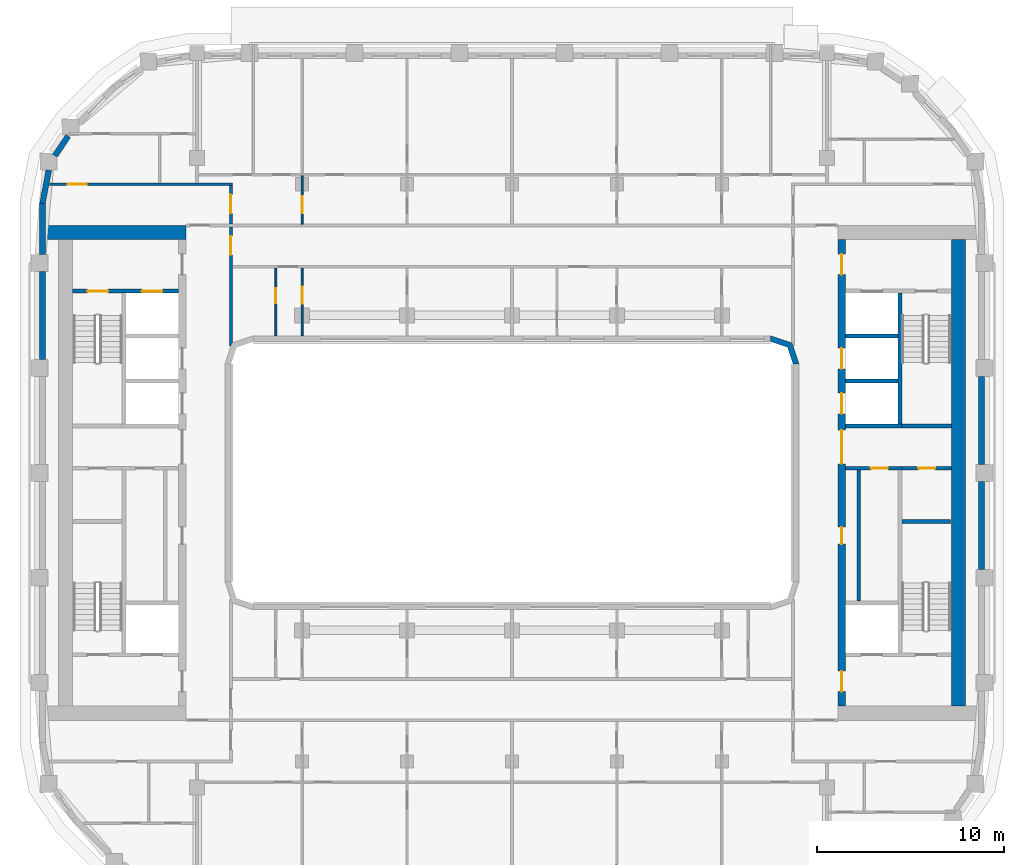
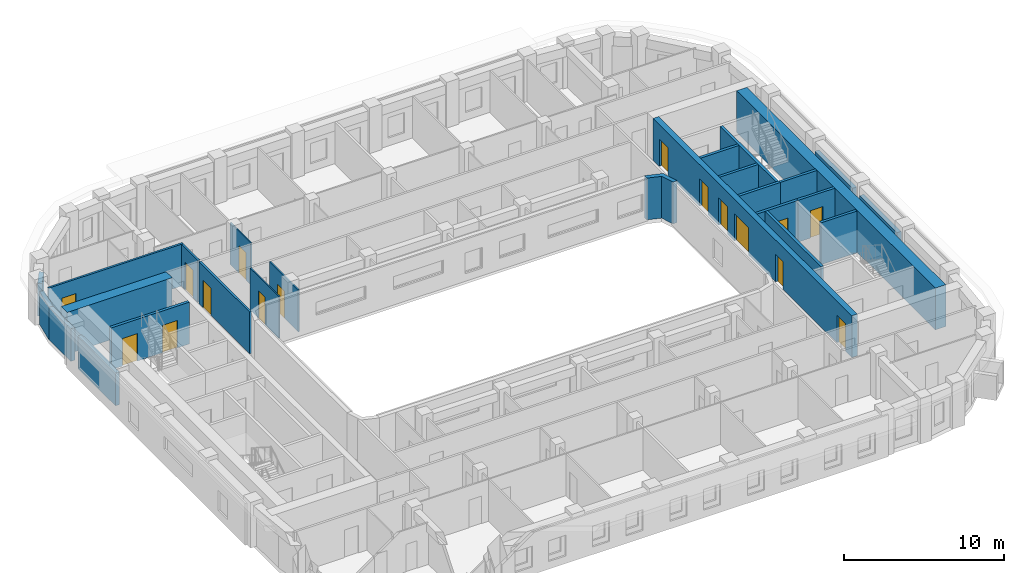
# One storey, part 6 of 21: 26 walls, 16 doors, 16 openings.
"""IFC4 building model written with IfcOpenShell, lengths in metres."""

from ifc_helpers import new_model, si_unit, direction, frame, frame_2d, origin, place, context, subcontext, project, spatial, polyline, rectangle, outline, extrude, material, layer, layer_set, type_object, element, fill, save


model = new_model("IFC4")

# Units and contexts
model_context = context("Model", 3, precision=1e-05, world=origin(), true_north=direction((0.0, 1.0)))
body_context = subcontext(model_context, "Body", "Model", "MODEL_VIEW")
ifc_project = project(units=[si_unit("LENGTHUNIT", "METRE"), si_unit("AREAUNIT", "SQUARE_METRE"), si_unit("VOLUMEUNIT", "CUBIC_METRE"), si_unit("PLANEANGLEUNIT", "RADIAN"), si_unit("MASSUNIT", "GRAM", prefix="KILO")], contexts=[model_context])

# Site, building, storey
site_placement = place(None, origin())
site = spatial("IfcSite", under=ifc_project, at=site_placement, CompositionType="ELEMENT")
building_placement = place(site_placement, origin())
building = spatial("IfcBuilding", under=site, at=building_placement, Name="Kiln Ring Residences", CompositionType="ELEMENT")
storey_placement = place(building_placement, frame((0.0, 0.0, 202.89990234375)))
storey = spatial("IfcBuildingStorey", under=building, at=storey_placement, Name="L52", CompositionType="ELEMENT", Elevation=202.89990234375)

# Wall, opening, door
ifc_material_1 = material(Name="Gypsum board on steel studs", Category="steel")
ifc_layer_1 = layer(ifc_material_1, 0.199951171875)
ifc_layer_set_1 = layer_set([ifc_layer_1], Name="CORE-PARTITION-200")
wall_type_1 = type_object("IfcWallType", Name="CORE-PARTITION-200", PredefinedType="PARTITIONING", material=ifc_layer_set_1)
wall_1_placement = place(storey_placement, frame((20.800048828125, 0.25, 0.0), z_axis=(0.0, 0.0, 1.0), x_axis=(1.0, 0.0, 0.0)))
wall_1 = element("IfcWall", 1, at=wall_1_placement, inside=storey, type_object=wall_type_1, Name="Core partition east L52 1", PredefinedType="PARTITIONING", context=body_context, shape_type="SweptSolid", body=[
    extrude(rectangle(XDim=2.64990234375, YDim=0.199951171875, at=frame_2d((1.324951171875, 0.0))), origin(), (0.0, 0.0, 1.0), 3.2001953125),
])
opening_1_placement = place(wall_1_placement, frame((0.875, 0.0, 0.0)))
opening_1 = element("IfcOpeningElement", 2, at=opening_1_placement, cuts=wall_1, Name="Opening L52-CE12", PredefinedType="OPENING", context=body_context, shape_type="SweptSolid", body=[
    extrude(rectangle(XDim=0.89990234375, YDim=2.10009765625, at=frame_2d((0.449951171875, 1.050048828125))), frame((0.0, 0.10986328125, 0.0), z_axis=(0.0, -1.0, 0.0), x_axis=(1.0, 0.0, 0.0)), (0.0, 0.0, 1.0), 0.219970703125),
])
ifc_material_2 = material(Name="Steel door leaf", Category="steel")
door_type_1 = type_object("IfcDoorType", Name="CORE-DOOR-ROOM", OperationType="SINGLE_SWING_LEFT", PredefinedType="DOOR", material=ifc_material_2)
door_1_placement = place(opening_1_placement, origin())
door_1 = element("IfcDoor", 3, at=door_1_placement, inside=storey, type_object=door_type_1, Name="Comms room L52-CE12", OperationType="SINGLE_SWING_LEFT", OverallHeight=2.10009765625, OverallWidth=0.89990234375, PredefinedType="DOOR", context=body_context, shape_type="SweptSolid", body=[
    extrude(rectangle(XDim=0.89990234375, YDim=2.10009765625, at=frame_2d((0.449951171875, 1.050048828125))), frame((0.0, 0.02490234375, 0.0), z_axis=(0.0, -1.0, 0.0), x_axis=(1.0, 0.0, 0.0)), (0.0, 0.0, 1.0), 0.050048828125),
])
fill(opening_1, door_1)

# Wall
wall_2_placement = place(storey_placement, frame((18.5, -6.85009765625, 0.0), z_axis=(0.0, 0.0, 1.0), x_axis=(0.0, 1.0, 0.0)))
element("IfcWall", 4, at=wall_2_placement, inside=storey, type_object=wall_type_1, Name="Core partition east L52 2", PredefinedType="PARTITIONING", context=body_context, shape_type="SweptSolid", body=[
    extrude(rectangle(XDim=7.0, YDim=0.199951171875, at=frame_2d((3.5, 0.0))), origin(), (0.0, 0.0, 1.0), 3.2001953125),
])

# Wall, opening, door
ifc_material_3 = material(Name="Gypsum shaft wall system")
ifc_layer_2 = layer(ifc_material_3, 0.199951171875)
ifc_layer_set_2 = layer_set([ifc_layer_2], Name="CORE-SHAFT-WALL-200")
wall_type_2 = type_object("IfcWallType", Name="CORE-SHAFT-WALL-200", PredefinedType="PARTITIONING", material=ifc_layer_set_2)
wall_3_placement = place(storey_placement, frame((17.800048828125, 0.25, 0.0), z_axis=(0.0, 0.0, 1.0), x_axis=(1.0, 0.0, 0.0)))
wall_3 = element("IfcWall", 5, at=wall_3_placement, inside=storey, type_object=wall_type_2, Name="Core partition east L52 4", PredefinedType="PARTITIONING", context=body_context, shape_type="SweptSolid", body=[
    extrude(rectangle(XDim=3.0, YDim=0.199951171875, at=frame_2d((1.5, 0.0))), origin(), (0.0, 0.0, 1.0), 3.2001953125),
])
opening_2_placement = place(wall_3_placement, frame((1.35009765625, 0.0, 0.0)))
opening_2 = element("IfcOpeningElement", 6, at=opening_2_placement, cuts=wall_3, Name="Opening L52-CE03", PredefinedType="OPENING", context=body_context, shape_type="SweptSolid", body=[
    extrude(rectangle(XDim=0.89990234375, YDim=2.10009765625, at=frame_2d((0.449951171875, 1.050048828125))), frame((0.0, 0.10986328125, 0.0), z_axis=(0.0, -1.0, 0.0), x_axis=(1.0, 0.0, 0.0)), (0.0, 0.0, 1.0), 0.219970703125),
])
door_2_placement = place(opening_2_placement, origin())
door_2 = element("IfcDoor", 7, at=door_2_placement, inside=storey, type_object=door_type_1, Name="Service store L52-CE03", OperationType="SINGLE_SWING_RIGHT", OverallHeight=2.10009765625, OverallWidth=0.89990234375, PredefinedType="DOOR", context=body_context, shape_type="SweptSolid", body=[
    extrude(rectangle(XDim=0.89990234375, YDim=2.10009765625, at=frame_2d((0.449951171875, 1.050048828125))), frame((0.0, 0.02490234375, 0.0), z_axis=(0.0, -1.0, 0.0), x_axis=(1.0, 0.0, 0.0)), (0.0, 0.0, 1.0), 0.050048828125),
])
fill(opening_2, door_2)

# Walls
wall_4_placement = place(storey_placement, frame((17.800048828125, 2.5, 0.0), z_axis=(0.0, 0.0, 1.0), x_axis=(1.0, 0.0, 0.0)))
element("IfcWall", 8, at=wall_4_placement, inside=storey, type_object=wall_type_2, Name="Core partition east L52 5", PredefinedType="PARTITIONING", context=body_context, shape_type="SweptSolid", body=[
    extrude(rectangle(XDim=3.0, YDim=0.199951171875, at=frame_2d((1.5, 0.0))), origin(), (0.0, 0.0, 1.0), 3.2001953125),
])
for number, where, z_axis, x_axis, name in (
    (9, (17.800048828125, 4.89990234375, 0.0), (0.0, 0.0, 1.0), (1.0, 0.0, 0.0), "Core partition east L52 6"),
    (10, (17.800048828125, 7.300048828125, 0.0), (0.0, 0.0, 1.0), (1.0, 0.0, 0.0), "Core partition east L52 7"),
):
    element("IfcWall", number, at=place(storey_placement, frame(where, z_axis=z_axis, x_axis=x_axis)), inside=storey, type_object=wall_type_2, Name=name, PredefinedType="PARTITIONING", context=body_context, shape_type="SweptSolid", body=[
        extrude(rectangle(XDim=2.800048828125, YDim=0.199951171875, at=frame_2d((1.39990234375, 0.0))), origin(), (0.0, 0.0, 1.0), 3.2001953125),
    ])

# Wall, openings, doors
ifc_material_4 = material(Name="Concrete C40/50", Category="concrete")
ifc_layer_3 = layer(ifc_material_4, 0.199951171875)
ifc_layer_set_3 = layer_set([ifc_layer_3], Name="CORE-WALL-RC200")
wall_type_3 = type_object("IfcWallType", Name="CORE-WALL-RC200", PredefinedType="SHEAR", material=ifc_layer_set_3)
wall_5_placement = place(storey_placement, frame((-17.800048828125, 9.699951171875, 0.0), z_axis=(0.0, 0.0, 1.0), x_axis=(-1.0, 0.0, 0.0)))
wall_5 = element("IfcWall", 11, at=wall_5_placement, inside=storey, type_object=wall_type_3, Name="Core wall west L52 9", PredefinedType="SHEAR", context=body_context, shape_type="SweptSolid", body=[
    extrude(rectangle(XDim=5.64990234375, YDim=0.199951171875, at=frame_2d((2.824951171875, 0.0))), origin(), (0.0, 0.0, 1.0), 3.2001953125),
])
opening_3_placement = place(wall_5_placement, frame((0.85009765625, 0.0, 0.0)))
opening_3 = element("IfcOpeningElement", 12, at=opening_3_placement, cuts=wall_5, Name="Opening L52-CW06", PredefinedType="OPENING", context=body_context, shape_type="SweptSolid", body=[
    extrude(rectangle(XDim=1.10009765625, YDim=2.10009765625, at=frame_2d((0.550048828125, 1.050048828125))), frame((0.0, 0.10986328125, 0.0), z_axis=(0.0, -1.0, 0.0), x_axis=(1.0, 0.0, 0.0)), (0.0, 0.0, 1.0), 0.219970703125),
])
opening_4_placement = place(wall_5_placement, frame((3.75, 0.0, 0.0)))
opening_4 = element("IfcOpeningElement", 13, at=opening_4_placement, cuts=wall_5, Name="Opening L52-CW09", PredefinedType="OPENING", context=body_context, shape_type="SweptSolid", body=[
    extrude(rectangle(XDim=1.10009765625, YDim=2.10009765625, at=frame_2d((0.550048828125, 1.050048828125))), frame((0.0, 0.10986328125, 0.0), z_axis=(0.0, -1.0, 0.0), x_axis=(1.0, 0.0, 0.0)), (0.0, 0.0, 1.0), 0.219970703125),
])
ifc_material_5 = material(Name="Steel door leaf", Category="steel")
door_type_2 = type_object("IfcDoorType", Name="CORE-DOOR-LD", OperationType="DOUBLE_DOOR_SLIDING", PredefinedType="DOOR", material=ifc_material_5)
door_3_placement = place(opening_3_placement, origin())
door_3 = element("IfcDoor", 14, at=door_3_placement, inside=storey, type_object=door_type_2, Name="LD W-FF L52-CW06", OperationType="DOUBLE_DOOR_SLIDING", OverallHeight=2.10009765625, OverallWidth=1.10009765625, PredefinedType="DOOR", context=body_context, shape_type="SweptSolid", body=[
    extrude(rectangle(XDim=1.10009765625, YDim=2.10009765625, at=frame_2d((0.550048828125, 1.050048828125))), frame((0.0, 0.02490234375, 0.0), z_axis=(0.0, -1.0, 0.0), x_axis=(1.0, 0.0, 0.0)), (0.0, 0.0, 1.0), 0.050048828125),
])
fill(opening_3, door_3)
ifc_material_6 = material(Name="Steel door leaf", Category="steel")
door_type_3 = type_object("IfcDoorType", Name="CORE-DOOR-STAIR", OperationType="SINGLE_SWING_LEFT", PredefinedType="DOOR", material=ifc_material_6)
door_4_placement = place(opening_4_placement, origin())
door_4 = element("IfcDoor", 15, at=door_4_placement, inside=storey, type_object=door_type_3, Name="Stair W-STN L52-CW09", OperationType="SINGLE_SWING_LEFT", OverallHeight=2.10009765625, OverallWidth=1.10009765625, PredefinedType="DOOR", context=body_context, shape_type="SweptSolid", body=[
    extrude(rectangle(XDim=1.10009765625, YDim=2.10009765625, at=frame_2d((0.550048828125, 1.050048828125))), frame((0.0, 0.02490234375, 0.0), z_axis=(0.0, -1.0, 0.0), x_axis=(1.0, 0.0, 0.0)), (0.0, 0.0, 1.0), 0.050048828125),
])
fill(opening_4, door_4)

# Walls
wall_6_placement = place(storey_placement, frame((20.699951171875, 2.60009765625, 0.0), z_axis=(0.0, 0.0, 1.0), x_axis=(0.0, 1.0, 0.0)))
element("IfcWall", 16, at=wall_6_placement, inside=storey, type_object=wall_type_3, Name="Core wall east L52 1", PredefinedType="SHEAR", context=body_context, shape_type="SweptSolid", body=[
    extrude(rectangle(XDim=7.0, YDim=0.199951171875, at=frame_2d((3.5, 0.0))), origin(), (0.0, 0.0, 1.0), 3.2001953125),
])
wall_7_placement = place(storey_placement, frame((20.800048828125, 2.5, 0.0), z_axis=(0.0, 0.0, 1.0), x_axis=(1.0, 0.0, 0.0)))
element("IfcWall", 17, at=wall_7_placement, inside=storey, type_object=wall_type_3, Name="Core wall east L52 3", PredefinedType="SHEAR", context=body_context, shape_type="SweptSolid", body=[
    extrude(rectangle(XDim=2.64990234375, YDim=0.199951171875, at=frame_2d((1.324951171875, 0.0))), origin(), (0.0, 0.0, 1.0), 3.2001953125),
])
wall_8_placement = place(storey_placement, frame((20.800048828125, -2.60009765625, 0.0), z_axis=(0.0, 0.0, 1.0), x_axis=(1.0, 0.0, 0.0)))
element("IfcWall", 18, at=wall_8_placement, inside=storey, type_object=wall_type_3, Name="Core wall east L52 10", PredefinedType="SHEAR", context=body_context, shape_type="SweptSolid", body=[
    extrude(rectangle(XDim=2.599853515625, YDim=0.199951171875, at=frame_2d((1.2998046875, 0.0))), origin(), (0.0, 0.0, 1.0), 3.2001953125),
])

# Wall, openings, doors
ifc_material_7 = material(Name="Concrete C60/75", Category="concrete")
ifc_layer_4 = layer(ifc_material_7, 0.39990234375)
ifc_layer_set_4 = layer_set([ifc_layer_4], Name="CORE-WALL-RC400")
wall_type_4 = type_object("IfcWallType", Name="CORE-WALL-RC400", PredefinedType="SHEAR", material=ifc_layer_set_4)
wall_9_placement = place(storey_placement, frame((17.60009765625, -12.449951171875, 0.0), z_axis=(0.0, 0.0, 1.0), x_axis=(0.0, 1.0, 0.0)))
wall_9 = element("IfcWall", 19, at=wall_9_placement, inside=storey, type_object=wall_type_4, Name="Core wall east L52 6", PredefinedType="SHEAR", context=body_context, shape_type="SweptSolid", body=[
    extrude(rectangle(XDim=24.89990234375, YDim=0.39990234375, at=frame_2d((12.449951171875, 0.0))), origin(), (0.0, 0.0, 1.0), 3.2001953125),
])
opening_5_placement = place(wall_9_placement, frame((8.64990234375, 0.0, 0.0)))
opening_5 = element("IfcOpeningElement", 20, at=opening_5_placement, cuts=wall_9, Name="Opening L52-CE02", PredefinedType="OPENING", context=body_context, shape_type="SweptSolid", body=[
    extrude(rectangle(XDim=0.89990234375, YDim=2.10009765625, at=frame_2d((0.449951171875, 1.050048828125))), frame((0.0, 0.2099609375, 0.0), z_axis=(0.0, -1.0, 0.0), x_axis=(1.0, 0.0, 0.0)), (0.0, 0.0, 1.0), 0.419921875),
])
opening_6_placement = place(wall_9_placement, frame((15.60009765625, 0.0, 0.0)))
opening_6 = element("IfcOpeningElement", 21, at=opening_6_placement, cuts=wall_9, Name="Opening L52-CE04", PredefinedType="OPENING", context=body_context, shape_type="SweptSolid", body=[
    extrude(rectangle(XDim=1.10009765625, YDim=2.10009765625, at=frame_2d((0.550048828125, 1.050048828125))), frame((0.0, 0.2099609375, 0.0), z_axis=(0.0, -1.0, 0.0), x_axis=(1.0, 0.0, 0.0)), (0.0, 0.0, 1.0), 0.419921875),
])
opening_7_placement = place(wall_9_placement, frame((18.0, 0.0, 0.0)))
opening_7 = element("IfcOpeningElement", 22, at=opening_7_placement, cuts=wall_9, Name="Opening L52-CE05", PredefinedType="OPENING", context=body_context, shape_type="SweptSolid", body=[
    extrude(rectangle(XDim=1.10009765625, YDim=2.10009765625, at=frame_2d((0.550048828125, 1.050048828125))), frame((0.0, 0.2099609375, 0.0), z_axis=(0.0, -1.0, 0.0), x_axis=(1.0, 0.0, 0.0)), (0.0, 0.0, 1.0), 0.419921875),
])
opening_8_placement = place(wall_9_placement, frame((23.02490234375, 0.0, 0.0)))
opening_8 = element("IfcOpeningElement", 23, at=opening_8_placement, cuts=wall_9, Name="Opening L52-CE07", PredefinedType="OPENING", context=body_context, shape_type="SweptSolid", body=[
    extrude(rectangle(XDim=1.10009765625, YDim=2.10009765625, at=frame_2d((0.550048828125, 1.050048828125))), frame((0.0, 0.2099609375, 0.0), z_axis=(0.0, -1.0, 0.0), x_axis=(1.0, 0.0, 0.0)), (0.0, 0.0, 1.0), 0.419921875),
])
opening_9_placement = place(wall_9_placement, frame((0.77490234375, 0.0, 0.0)))
opening_9 = element("IfcOpeningElement", 24, at=opening_9_placement, cuts=wall_9, Name="Opening L52-CE08", PredefinedType="OPENING", context=body_context, shape_type="SweptSolid", body=[
    extrude(rectangle(XDim=1.10009765625, YDim=2.10009765625, at=frame_2d((0.550048828125, 1.050048828125))), frame((0.0, 0.2099609375, 0.0), z_axis=(0.0, -1.0, 0.0), x_axis=(1.0, 0.0, 0.0)), (0.0, 0.0, 1.0), 0.419921875),
])
opening_10_placement = place(wall_9_placement, frame((12.925048828125, 0.0, 0.0)))
opening_10 = element("IfcOpeningElement", 25, at=opening_10_placement, cuts=wall_9, Name="Opening L52-CE11", PredefinedType="OPENING", context=body_context, shape_type="SweptSolid", body=[
    extrude(rectangle(XDim=1.800048828125, YDim=2.10009765625, at=frame_2d((0.89990234375, 1.050048828125))), frame((0.0, 0.2099609375, 0.0), z_axis=(0.0, -1.0, 0.0), x_axis=(1.0, 0.0, 0.0)), (0.0, 0.0, 1.0), 0.419921875),
])
door_5_placement = place(opening_6_placement, origin())
door_5 = element("IfcDoor", 26, at=door_5_placement, inside=storey, type_object=door_type_2, Name="LD E-M1 L52-CE04", OperationType="DOUBLE_DOOR_SLIDING", OverallHeight=2.10009765625, OverallWidth=1.10009765625, PredefinedType="DOOR", context=body_context, shape_type="SweptSolid", body=[
    extrude(rectangle(XDim=1.10009765625, YDim=2.10009765625, at=frame_2d((0.550048828125, 1.050048828125))), frame((0.0, 0.02490234375, 0.0), z_axis=(0.0, -1.0, 0.0), x_axis=(1.0, 0.0, 0.0)), (0.0, 0.0, 1.0), 0.050048828125),
])
fill(opening_6, door_5)
door_6_placement = place(opening_7_placement, origin())
door_6 = element("IfcDoor", 27, at=door_6_placement, inside=storey, type_object=door_type_2, Name="LD E-M2 L52-CE05", OperationType="DOUBLE_DOOR_SLIDING", OverallHeight=2.10009765625, OverallWidth=1.10009765625, PredefinedType="DOOR", context=body_context, shape_type="SweptSolid", body=[
    extrude(rectangle(XDim=1.10009765625, YDim=2.10009765625, at=frame_2d((0.550048828125, 1.050048828125))), frame((0.0, 0.02490234375, 0.0), z_axis=(0.0, -1.0, 0.0), x_axis=(1.0, 0.0, 0.0)), (0.0, 0.0, 1.0), 0.050048828125),
])
fill(opening_7, door_6)
ifc_material_8 = material(Name="Steel door leaf", Category="steel")
door_type_4 = type_object("IfcDoorType", Name="CORE-DOOR-LOBBY", OperationType="SINGLE_SWING_LEFT", PredefinedType="DOOR", material=ifc_material_8)
door_7_placement = place(opening_8_placement, origin())
door_7 = element("IfcDoor", 28, at=door_7_placement, inside=storey, type_object=door_type_4, Name="FFL L52-CE07", OperationType="SINGLE_SWING_LEFT", OverallHeight=2.10009765625, OverallWidth=1.10009765625, PredefinedType="DOOR", context=body_context, shape_type="SweptSolid", body=[
    extrude(rectangle(XDim=1.10009765625, YDim=2.10009765625, at=frame_2d((0.550048828125, 1.050048828125))), frame((0.0, 0.02490234375, 0.0), z_axis=(0.0, -1.0, 0.0), x_axis=(1.0, 0.0, 0.0)), (0.0, 0.0, 1.0), 0.050048828125),
])
fill(opening_8, door_7)
door_8_placement = place(opening_9_placement, origin())
door_8 = element("IfcDoor", 29, at=door_8_placement, inside=storey, type_object=door_type_4, Name="SVL L52-CE08", OperationType="SINGLE_SWING_RIGHT", OverallHeight=2.10009765625, OverallWidth=1.10009765625, PredefinedType="DOOR", context=body_context, shape_type="SweptSolid", body=[
    extrude(rectangle(XDim=1.10009765625, YDim=2.10009765625, at=frame_2d((0.550048828125, 1.050048828125))), frame((0.0, 0.02490234375, 0.0), z_axis=(0.0, -1.0, 0.0), x_axis=(1.0, 0.0, 0.0)), (0.0, 0.0, 1.0), 0.050048828125),
])
fill(opening_9, door_8)
ifc_material_9 = material(Name="Steel door leaf", Category="steel")
door_type_5 = type_object("IfcDoorType", Name="CORE-DOOR-PASS", OperationType="DOUBLE_DOOR_SINGLE_SWING", PredefinedType="DOOR", material=ifc_material_9)
door_9_placement = place(opening_10_placement, origin())
door_9 = element("IfcDoor", 30, at=door_9_placement, inside=storey, type_object=door_type_5, Name="Core passage L52-CE11", OperationType="DOUBLE_DOOR_SINGLE_SWING", OverallHeight=2.10009765625, OverallWidth=1.800048828125, PredefinedType="DOOR", context=body_context, shape_type="SweptSolid", body=[
    extrude(rectangle(XDim=1.800048828125, YDim=2.10009765625, at=frame_2d((0.89990234375, 1.050048828125))), frame((0.0, 0.02490234375, 0.0), z_axis=(0.0, -1.0, 0.0), x_axis=(1.0, 0.0, 0.0)), (0.0, 0.0, 1.0), 0.050048828125),
])
fill(opening_10, door_9)
door_10_placement = place(opening_5_placement, origin())
door_10 = element("IfcDoor", 31, at=door_10_placement, inside=storey, type_object=door_type_1, Name="Locker store L52-CE02", OperationType="SINGLE_SWING_LEFT", OverallHeight=2.10009765625, OverallWidth=0.89990234375, PredefinedType="DOOR", context=body_context, shape_type="SweptSolid", body=[
    extrude(rectangle(XDim=0.89990234375, YDim=2.10009765625, at=frame_2d((0.449951171875, 1.050048828125))), frame((0.0, 0.02490234375, 0.0), z_axis=(0.0, -1.0, 0.0), x_axis=(1.0, 0.0, 0.0)), (0.0, 0.0, 1.0), 0.050048828125),
])
fill(opening_5, door_10)

# Walls
ifc_material_10 = material(Name="Concrete C60/75", Category="concrete")
ifc_layer_5 = layer(ifc_material_10, 0.75)
ifc_layer_set_5 = layer_set([ifc_layer_5], Name="CORE-WALL-RC750")
wall_type_5 = type_object("IfcWallType", Name="CORE-WALL-RC750", PredefinedType="SHEAR", material=ifc_layer_set_5)
wall_10_placement = place(storey_placement, frame((-17.39990234375, 12.824951171875, 0.0), z_axis=(0.0, 0.0, 1.0), x_axis=(-1.0, 0.0, 0.0)))
element("IfcWall", 32, at=wall_10_placement, inside=storey, type_object=wall_type_5, Name="Core wall west L52 4", PredefinedType="SHEAR", context=body_context, shape_type="SweptSolid", body=[
    extrude(rectangle(XDim=7.60009765625, YDim=0.75, at=frame_2d((3.800048828125, 0.0))), origin(), (0.0, 0.0, 1.0), 3.2001953125),
])
wall_11_placement = place(storey_placement, frame((23.824951171875, -12.449951171875, 0.0), z_axis=(0.0, 0.0, 1.0), x_axis=(0.0, 1.0, 0.0)))
element("IfcWall", 33, at=wall_11_placement, inside=storey, type_object=wall_type_5, Name="Core wall east L52 7", PredefinedType="SHEAR", context=body_context, shape_type="SweptSolid", body=[
    extrude(rectangle(XDim=24.89990234375, YDim=0.75, at=frame_2d((12.449951171875, 0.0))), origin(), (0.0, 0.0, 1.0), 3.2001953125),
])
ifc_material_11 = material(Name="Brick masonry, dark clay brick", Category="masonry")
ifc_layer_6 = layer(ifc_material_11, 0.300048828125)
ifc_layer_set_6 = layer_set([ifc_layer_6], Name="EW-300 BRICK WALL")
wall_type_6 = type_object("IfcWallType", Name="EW-300 BRICK WALL", PredefinedType="SOLIDWALL", material=ifc_layer_set_6)
for number, where, z_axis, x_axis, name in (
    (34, (25.050048828125, -5.14990234375, 0.0), (0.0, 0.0, 1.0), (0.0, 1.0, 0.0), "Facade wall L52 18"),
    (35, (25.050048828125, 0.449951171875, 0.0), (0.0, 0.0, 1.0), (0.0, 1.0, 0.0), "Facade wall L52 19"),
):
    element("IfcWall", number, at=place(storey_placement, frame(where, z_axis=z_axis, x_axis=x_axis)), inside=storey, type_object=wall_type_6, Name=name, PredefinedType="SOLIDWALL", context=body_context, shape_type="SweptSolid", body=[
        extrude(rectangle(XDim=4.699951171875, YDim=0.300048828125, at=frame_2d((2.35009765625, 0.0))), origin(), (0.0, 0.0, 1.0), 2.5),
    ])
wall_12_placement = place(storey_placement, frame((-23.67626953125, 17.975341796875, 0.0), z_axis=(0.0, 0.0, 1.0), x_axis=(-0.56200149592, -0.827136215253, 0.0)))
element("IfcWall", 36, at=wall_12_placement, inside=storey, type_object=wall_type_6, Name="Facade wall L52 37", PredefinedType="SOLIDWALL", context=body_context, shape_type="SweptSolid", body=[
    extrude(rectangle(XDim=1.277099609375, YDim=0.300048828125, at=frame_2d((0.638671875, 0.0))), origin(), (0.0, 0.0, 1.0), 2.5),
])
wall_13_placement = place(storey_placement, frame((-24.71435546875, 16.14599609375, 0.0), z_axis=(0.0, 0.0, 1.0), x_axis=(-0.187348135549, -0.982293579388, 0.0)))
element("IfcWall", 37, at=wall_13_placement, inside=storey, type_object=wall_type_6, Name="Facade wall L52 38", PredefinedType="SOLIDWALL", context=body_context, shape_type="SweptSolid", body=[
    extrude(rectangle(XDim=1.80615234375, YDim=0.300048828125, at=frame_2d((0.903076171875, 0.0))), origin(), (0.0, 0.0, 1.0), 2.5),
])
wall_14_placement = place(storey_placement, frame((-25.050048828125, 14.39990234375, 0.0), z_axis=(0.0, 0.0, 1.0), x_axis=(0.0, -1.0, 0.0)))
element("IfcWall", 38, at=wall_14_placement, inside=storey, type_object=wall_type_6, Name="Facade wall L52 39", PredefinedType="SOLIDWALL", context=body_context, shape_type="SweptSolid", body=[
    extrude(rectangle(XDim=2.75, YDim=0.300048828125, at=frame_2d((1.375, 0.0))), origin(), (0.0, 0.0, 1.0), 2.5),
])
wall_15_placement = place(storey_placement, frame((-25.050048828125, 10.75, 0.0), z_axis=(0.0, 0.0, 1.0), x_axis=(0.0, -1.0, 0.0)))
element("IfcWall", 39, at=wall_15_placement, inside=storey, type_object=wall_type_6, Name="Facade wall L52 40", PredefinedType="SOLIDWALL", context=body_context, shape_type="SweptSolid", body=[
    extrude(rectangle(XDim=4.699951171875, YDim=0.300048828125, at=frame_2d((2.35009765625, 0.0))), origin(), (0.0, 0.0, 1.0), 2.5),
])
wall_16_placement = place(storey_placement, origin())
element("IfcWall", 40, at=wall_16_placement, inside=storey, type_object=wall_type_6, Name="Corner wall L52 2", PredefinedType="SOLIDWALL", context=body_context, shape_type="SweptSolid", body=[
    extrude(outline(polyline([(14.937255859375, 6.937255859375), (13.8486328125, 7.300048828125), (13.800048828125, 7.300048828125), (13.800048828125, 7.0), (14.699951171875, 6.699951171875), (15.0, 5.800048828125), (15.300048828125, 5.800048828125), (15.300048828125, 5.8486328125), (14.937255859375, 6.937255859375)])), origin(), (0.0, 0.0, 1.0), 3.2001953125),
])

# Wall, opening, door
ifc_material_12 = material(Name="Gypsum board on steel studs", Category="steel")
ifc_layer_7 = layer(ifc_material_12, 0.10009765625)
ifc_layer_set_7 = layer_set([ifc_layer_7], Name="PARTITION-100")
wall_type_7 = type_object("IfcWallType", Name="PARTITION-100", PredefinedType="PARTITIONING", material=ifc_layer_set_7)
wall_17_placement = place(storey_placement, frame((-12.60009765625, 7.320068359375, 0.0), z_axis=(0.0, 0.0, 1.0), x_axis=(0.0, 1.0, 0.0)))
wall_17 = element("IfcWall", 41, at=wall_17_placement, inside=storey, type_object=wall_type_7, Name="Partition 024", PredefinedType="PARTITIONING", context=body_context, shape_type="SweptSolid", body=[
    extrude(rectangle(XDim=3.60498046875, YDim=0.10009765625, at=frame_2d((1.802490234375, 0.0))), origin(), (0.0, 0.0, 1.0), 3.2001953125),
])
opening_11_placement = place(wall_17_placement, frame((1.72900390625, 0.0, 0.0)))
opening_11 = element("IfcOpeningElement", 42, at=opening_11_placement, cuts=wall_17, Name="Opening L52-D010", PredefinedType="OPENING", context=body_context, shape_type="SweptSolid", body=[
    extrude(rectangle(XDim=0.800048828125, YDim=2.10009765625, at=frame_2d((0.39990234375, 1.050048828125))), frame((0.0, 0.06005859375, 0.0), z_axis=(0.0, -1.0, 0.0), x_axis=(1.0, 0.0, 0.0)), (0.0, 0.0, 1.0), 0.1201171875),
])
ifc_material_13 = material(Name="Timber door leaf", Category="wood")
door_type_6 = type_object("IfcDoorType", Name="FLAT-DOOR-800-PL", OperationType="SINGLE_SWING_LEFT", PredefinedType="DOOR", material=ifc_material_13)
door_11_placement = place(opening_11_placement, origin())
door_11 = element("IfcDoor", 43, at=door_11_placement, inside=storey, type_object=door_type_6, Name="Door L52-D010", OperationType="SINGLE_SWING_LEFT", OverallHeight=2.10009765625, OverallWidth=0.800048828125, PredefinedType="DOOR", context=body_context, shape_type="SweptSolid", body=[
    extrude(rectangle(XDim=0.800048828125, YDim=2.10009765625, at=frame_2d((0.39990234375, 1.050048828125))), frame((0.0, 0.02490234375, 0.0), z_axis=(0.0, -1.0, 0.0), x_axis=(1.0, 0.0, 0.0)), (0.0, 0.0, 1.0), 0.050048828125),
])
fill(opening_11, door_11)

wall_18_placement = place(storey_placement, frame((-11.199951171875, 7.320068359375, 0.0), z_axis=(0.0, 0.0, 1.0), x_axis=(0.0, 1.0, 0.0)))
wall_18 = element("IfcWall", 44, at=wall_18_placement, inside=storey, type_object=wall_type_7, Name="Partition 028", PredefinedType="PARTITIONING", context=body_context, shape_type="SweptSolid", body=[
    extrude(rectangle(XDim=3.60498046875, YDim=0.10009765625, at=frame_2d((1.802490234375, 0.0))), origin(), (0.0, 0.0, 1.0), 3.2001953125),
])
opening_12_placement = place(wall_18_placement, frame((1.699951171875, 0.0, 0.0)))
opening_12 = element("IfcOpeningElement", 45, at=opening_12_placement, cuts=wall_18, Name="Opening L52-D011", PredefinedType="OPENING", context=body_context, shape_type="SweptSolid", body=[
    extrude(rectangle(XDim=0.89990234375, YDim=2.10009765625, at=frame_2d((0.449951171875, 1.050048828125))), frame((0.0, 0.06005859375, 0.0), z_axis=(0.0, -1.0, 0.0), x_axis=(1.0, 0.0, 0.0)), (0.0, 0.0, 1.0), 0.1201171875),
])
ifc_material_14 = material(Name="Timber door leaf", Category="wood")
door_type_7 = type_object("IfcDoorType", Name="FLAT-DOOR-900-PL", OperationType="SINGLE_SWING_LEFT", PredefinedType="DOOR", material=ifc_material_14)
door_12_placement = place(opening_12_placement, origin())
door_12 = element("IfcDoor", 46, at=door_12_placement, inside=storey, type_object=door_type_7, Name="Door L52-D011", OperationType="SINGLE_SWING_RIGHT", OverallHeight=2.10009765625, OverallWidth=0.89990234375, PredefinedType="DOOR", context=body_context, shape_type="SweptSolid", body=[
    extrude(rectangle(XDim=0.89990234375, YDim=2.10009765625, at=frame_2d((0.449951171875, 1.050048828125))), frame((0.0, 0.02490234375, 0.0), z_axis=(0.0, -1.0, 0.0), x_axis=(1.0, 0.0, 0.0)), (0.0, 0.0, 1.0), 0.050048828125),
])
fill(opening_12, door_12)

wall_19_placement = place(storey_placement, frame((-11.199951171875, 13.27490234375, 0.0), z_axis=(0.0, 0.0, 1.0), x_axis=(0.0, 1.0, 0.0)))
wall_19 = element("IfcWall", 47, at=wall_19_placement, inside=storey, type_object=wall_type_7, Name="Partition 029", PredefinedType="PARTITIONING", context=body_context, shape_type="SweptSolid", body=[
    extrude(rectangle(XDim=2.5751953125, YDim=0.10009765625, at=frame_2d((1.28759765625, 0.0))), origin(), (0.0, 0.0, 1.0), 3.2001953125),
])
opening_13_placement = place(wall_19_placement, frame((0.575927734375, 0.0, 0.0)))
opening_13 = element("IfcOpeningElement", 48, at=opening_13_placement, cuts=wall_19, Name="Opening L52-D018", PredefinedType="OPENING", context=body_context, shape_type="SweptSolid", body=[
    extrude(rectangle(XDim=0.89990234375, YDim=2.10009765625, at=frame_2d((0.449951171875, 1.050048828125))), frame((0.0, 0.06005859375, 0.0), z_axis=(0.0, -1.0, 0.0), x_axis=(1.0, 0.0, 0.0)), (0.0, 0.0, 1.0), 0.1201171875),
])
door_13_placement = place(opening_13_placement, origin())
door_13 = element("IfcDoor", 49, at=door_13_placement, inside=storey, type_object=door_type_7, Name="Door L52-D018", OperationType="SINGLE_SWING_LEFT", OverallHeight=2.10009765625, OverallWidth=0.89990234375, PredefinedType="DOOR", context=body_context, shape_type="SweptSolid", body=[
    extrude(rectangle(XDim=0.89990234375, YDim=2.10009765625, at=frame_2d((0.449951171875, 1.050048828125))), frame((0.0, 0.02490234375, 0.0), z_axis=(0.0, -1.0, 0.0), x_axis=(1.0, 0.0, 0.0)), (0.0, 0.0, 1.0), 0.050048828125),
])
fill(opening_13, door_13)

ifc_material_15 = material(Name="Brick masonry partition", Category="masonry")
ifc_layer_8 = layer(ifc_material_15, 0.14990234375)
ifc_layer_set_8 = layer_set([ifc_layer_8], Name="PARTITION-150-ei60")
wall_type_8 = type_object("IfcWallType", Name="PARTITION-150-ei60", PredefinedType="PARTITIONING", material=ifc_layer_set_8)
wall_20_placement = place(storey_placement, frame((-24.683837890625, 15.39990234375, 0.0), z_axis=(0.0, 0.0, 1.0), x_axis=(1.0, 0.0, 0.0)))
wall_20 = element("IfcWall", 50, at=wall_20_placement, inside=storey, type_object=wall_type_8, Name="Partition 009", PredefinedType="PARTITIONING", context=body_context, shape_type="SweptSolid", body=[
    extrude(rectangle(XDim=9.7587890625, YDim=0.14990234375, at=frame_2d((4.87939453125, 0.0))), origin(), (0.0, 0.0, 1.0), 3.2001953125),
])
opening_14_placement = place(wall_20_placement, frame((0.98388671875, 0.0, 0.0)))
opening_14 = element("IfcOpeningElement", 51, at=opening_14_placement, cuts=wall_20, Name="Opening L52-D034", PredefinedType="OPENING", context=body_context, shape_type="SweptSolid", body=[
    extrude(rectangle(XDim=1.0, YDim=2.10009765625, at=frame_2d((0.5, 1.050048828125))), frame((0.0, 0.0849609375, 0.0), z_axis=(0.0, -1.0, 0.0), x_axis=(1.0, 0.0, 0.0)), (0.0, 0.0, 1.0), 0.169921875),
])
ifc_material_16 = material(Name="Steel faced fire door leaf", Category="steel")
door_type_8 = type_object("IfcDoorType", Name="FLAT-DOOR-1000-FR", OperationType="SINGLE_SWING_LEFT", PredefinedType="DOOR", material=ifc_material_16)
door_14_placement = place(opening_14_placement, origin())
door_14 = element("IfcDoor", 52, at=door_14_placement, inside=storey, type_object=door_type_8, Name="Door L52-D034", OperationType="SINGLE_SWING_RIGHT", OverallHeight=2.10009765625, OverallWidth=1.0, PredefinedType="DOOR", context=body_context, shape_type="SweptSolid", body=[
    extrude(rectangle(XDim=1.0, YDim=2.10009765625, at=frame_2d((0.5, 1.050048828125))), frame((0.0, 0.02490234375, 0.0), z_axis=(0.0, -1.0, 0.0), x_axis=(1.0, 0.0, 0.0)), (0.0, 0.0, 1.0), 0.050048828125),
])
fill(opening_14, door_14)

wall_21_placement = place(storey_placement, frame((-15.0, 6.768798828125, 0.0), z_axis=(0.0, 0.0, 1.0), x_axis=(0.0, 1.0, 0.0)))
wall_21 = element("IfcWall", 53, at=wall_21_placement, inside=storey, type_object=wall_type_8, Name="Partition 020", PredefinedType="PARTITIONING", context=body_context, shape_type="SweptSolid", body=[
    extrude(rectangle(XDim=6.356201171875, YDim=0.14990234375, at=frame_2d((3.17822265625, 0.0))), origin(), (0.0, 0.0, 1.0), 3.2001953125),
])
opening_15_placement = place(wall_21_placement, frame((4.860107421875, 0.0, 0.0)))
opening_15 = element("IfcOpeningElement", 54, at=opening_15_placement, cuts=wall_21, Name="Opening L52-D001", PredefinedType="OPENING", context=body_context, shape_type="SweptSolid", body=[
    extrude(rectangle(XDim=1.0, YDim=2.10009765625, at=frame_2d((0.5, 1.050048828125))), frame((0.0, 0.0849609375, 0.0), z_axis=(0.0, -1.0, 0.0), x_axis=(1.0, 0.0, 0.0)), (0.0, 0.0, 1.0), 0.169921875),
])
door_15_placement = place(opening_15_placement, origin())
door_15 = element("IfcDoor", 55, at=door_15_placement, inside=storey, type_object=door_type_8, Name="Door L52-D001", OperationType="SINGLE_SWING_RIGHT", OverallHeight=2.10009765625, OverallWidth=1.0, PredefinedType="DOOR", context=body_context, shape_type="SweptSolid", body=[
    extrude(rectangle(XDim=1.0, YDim=2.10009765625, at=frame_2d((0.5, 1.050048828125))), frame((0.0, 0.02490234375, 0.0), z_axis=(0.0, -1.0, 0.0), x_axis=(1.0, 0.0, 0.0)), (0.0, 0.0, 1.0), 0.050048828125),
])
fill(opening_15, door_15)

wall_22_placement = place(storey_placement, frame((-15.0, 13.27490234375, 0.0), z_axis=(0.0, 0.0, 1.0), x_axis=(0.0, 1.0, 0.0)))
wall_22 = element("IfcWall", 56, at=wall_22_placement, inside=storey, type_object=wall_type_8, Name="Partition 021", PredefinedType="PARTITIONING", context=body_context, shape_type="SweptSolid", body=[
    extrude(rectangle(XDim=2.050048828125, YDim=0.14990234375, at=frame_2d((1.02490234375, 0.0))), origin(), (0.0, 0.0, 1.0), 3.2001953125),
])
opening_16_placement = place(wall_22_placement, frame((0.575927734375, 0.0, 0.0)))
opening_16 = element("IfcOpeningElement", 57, at=opening_16_placement, cuts=wall_22, Name="Opening L52-D017", PredefinedType="OPENING", context=body_context, shape_type="SweptSolid", body=[
    extrude(rectangle(XDim=1.0, YDim=2.10009765625, at=frame_2d((0.5, 1.050048828125))), frame((0.0, 0.0849609375, 0.0), z_axis=(0.0, -1.0, 0.0), x_axis=(1.0, 0.0, 0.0)), (0.0, 0.0, 1.0), 0.169921875),
])
door_16_placement = place(opening_16_placement, origin())
door_16 = element("IfcDoor", 58, at=door_16_placement, inside=storey, type_object=door_type_8, Name="Door L52-D017", OperationType="SINGLE_SWING_LEFT", OverallHeight=2.10009765625, OverallWidth=1.0, PredefinedType="DOOR", context=body_context, shape_type="SweptSolid", body=[
    extrude(rectangle(XDim=1.0, YDim=2.10009765625, at=frame_2d((0.5, 1.050048828125))), frame((0.0, 0.02490234375, 0.0), z_axis=(0.0, -1.0, 0.0), x_axis=(1.0, 0.0, 0.0)), (0.0, 0.0, 1.0), 0.050048828125),
])
fill(opening_16, door_16)

save(model, "model.ifc")
